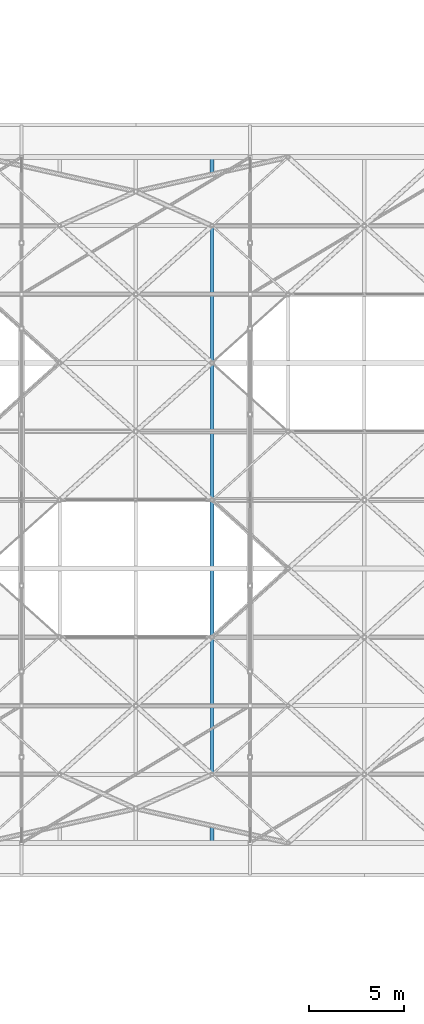
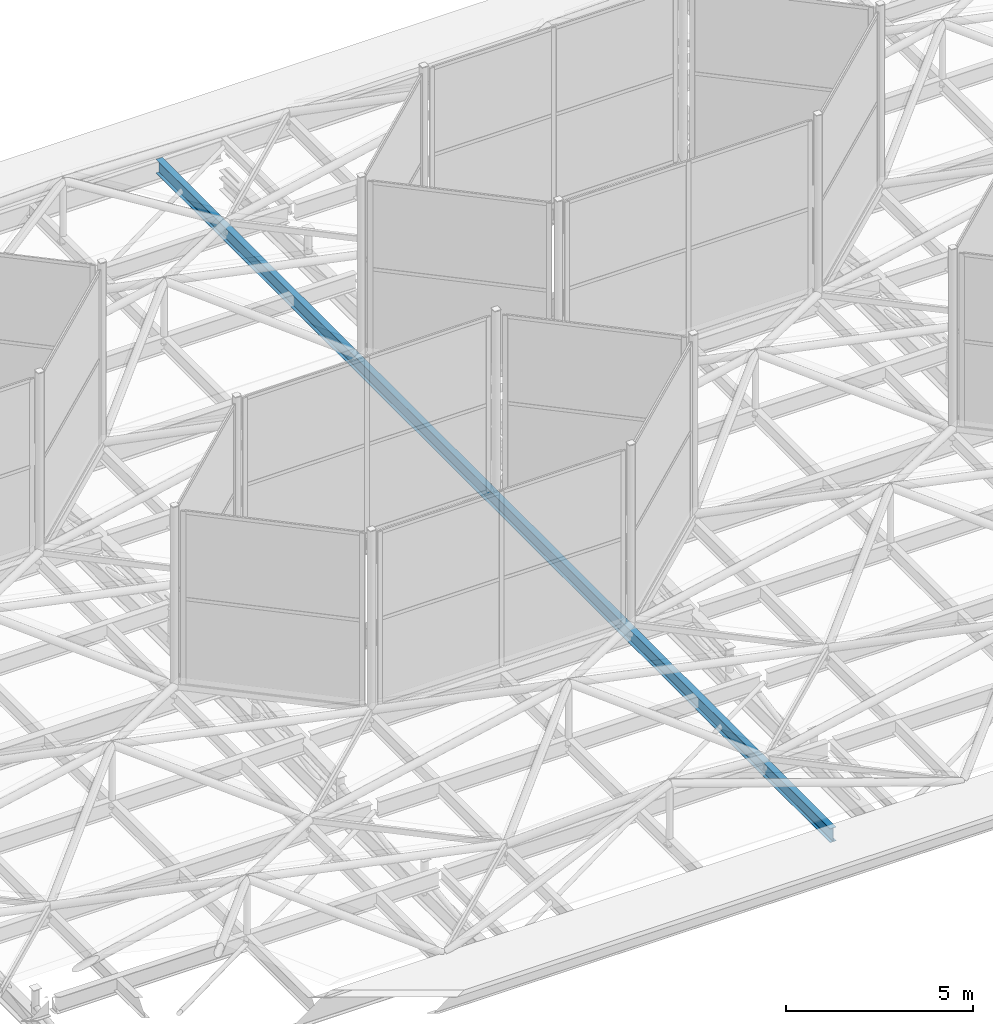
# One storey, part 98 of 239: 1 beam.
"""IFC4 building model written with IfcOpenShell, lengths in metres."""

from ifc_helpers import new_model, si_unit, direction, frame, origin, origin_2d, place, context, subcontext, project, spatial, i_section, extrude, material, material_profile, profile_set, type_object, element, save


model = new_model("IFC4")

# Units and contexts
model_context = context("Model", 3, precision=1e-05, world=origin(), true_north=direction((0.0, 1.0)))
body_context = subcontext(model_context, "Body", "Model", "MODEL_VIEW")
ifc_project = project(units=[si_unit("LENGTHUNIT", "METRE"), si_unit("AREAUNIT", "SQUARE_METRE"), si_unit("VOLUMEUNIT", "CUBIC_METRE"), si_unit("PLANEANGLEUNIT", "RADIAN"), si_unit("MASSUNIT", "GRAM", prefix="KILO")], contexts=[model_context])

# Site, building, storey
site_placement = place(None, origin())
site = spatial("IfcSite", under=ifc_project, at=site_placement, CompositionType="ELEMENT")
building_placement = place(site_placement, origin())
building = spatial("IfcBuilding", under=site, at=building_placement, Name="Dunvalen Ferry Terminal", CompositionType="ELEMENT")
storey_placement = place(building_placement, frame((0.0, 0.0, 9.840087890625)))
storey = spatial("IfcBuildingStorey", under=building, at=storey_placement, Name="L02", CompositionType="ELEMENT", Elevation=9.840087890625)

# Beam
ifc_material = material(Name="Steel S355", Category="steel")
ifc_material_profile = material_profile(ifc_material, i_section(OverallWidth=0.1904296875, OverallDepth=0.45703125, WebThickness=0.009033203125, FlangeThickness=0.014404296875, FilletRadius=0.01025390625, at=origin_2d()), Name="Steel S355")
ifc_profile_set = profile_set([ifc_material_profile], Name="Steel S355")
beam_type = type_object("IfcBeamType", Name="STR-BM-UKB457", PredefinedType="BEAM", material=ifc_profile_set)
beam_placement = place(storey_placement, frame((58.0, 50.39990234375, 0.771484375), z_axis=(0.0, 1.0, 0.0), x_axis=(-1.0, 0.0, 0.0)))
element("IfcBeam", 1, at=beam_placement, inside=storey, type_object=beam_type, Name="Departure Hall Hex-Grid Cross Beam B4.3", PredefinedType="BEAM", context=body_context, shape_type="SweptSolid", body=[
    extrude(i_section(OverallWidth=0.1904296875, OverallDepth=0.45703125, WebThickness=0.009033203125, FlangeThickness=0.014404296875, FilletRadius=0.01025390625, at=origin_2d()), origin(), (0.0, 0.0, 1.0), 36.0),
])

save(model, "model.ifc")
